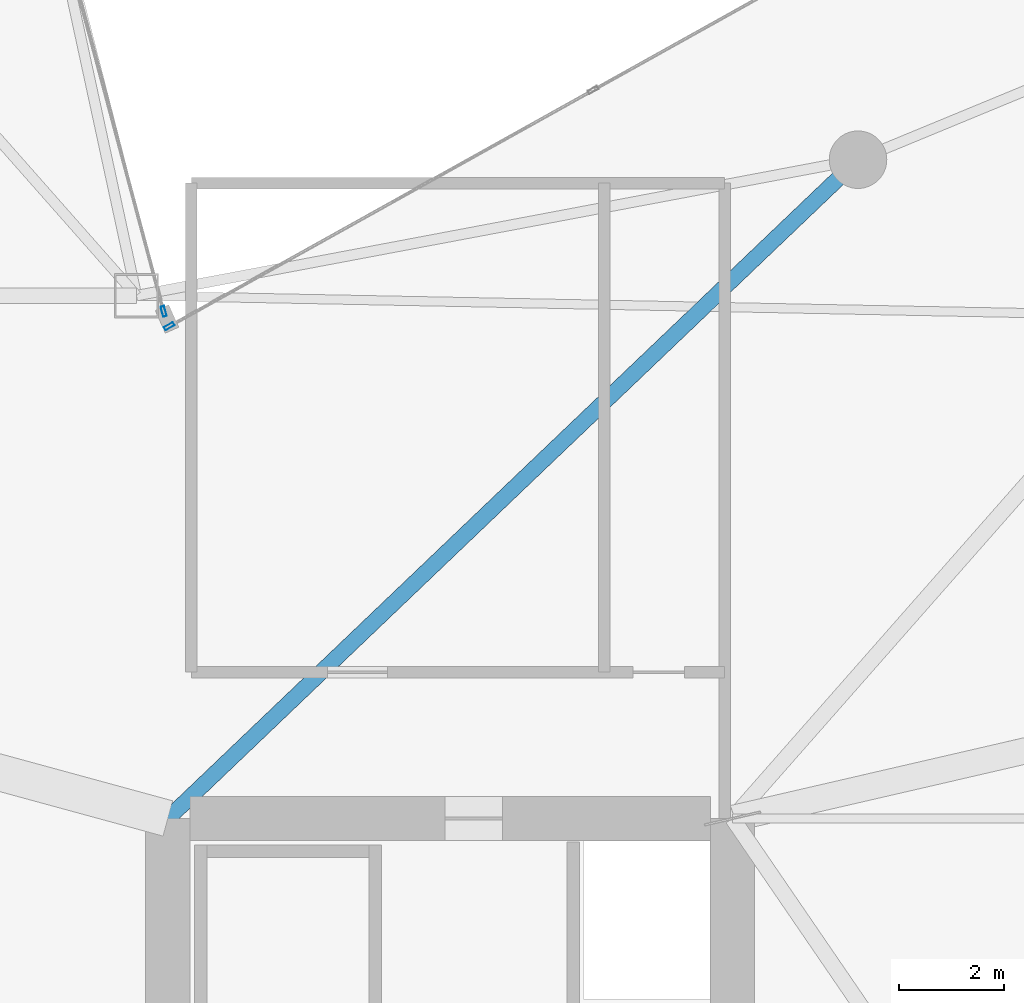
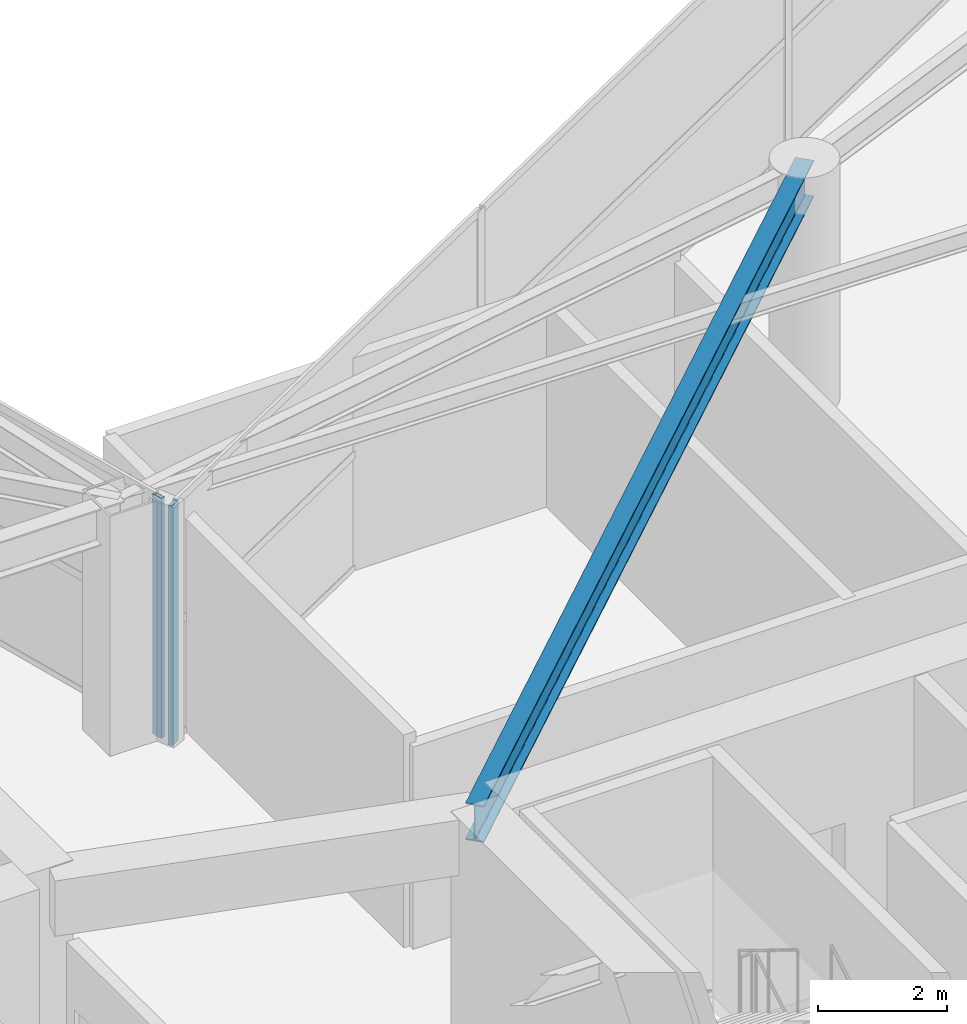
# One storey, part 2 of 19: 2 members, 1 beam, 2 elements without a shape of their own.
"""IFC4 building model written with IfcOpenShell, lengths in metres."""

from ifc_helpers import new_model, si_unit, direction, frame, origin, origin_2d, place, context, subcontext, project, spatial, hollow_rectangle, i_section, extrude, material, layer, layer_set, material_profile, profile_set, type_object, element, aggregate, save


model = new_model("IFC4")

# Units and contexts
model_context = context("Model", 3, precision=1e-05, world=origin(), true_north=direction((0.0, 1.0)))
body_context = subcontext(model_context, "Body", "Model", "MODEL_VIEW")
ifc_project = project(units=[si_unit("LENGTHUNIT", "METRE"), si_unit("AREAUNIT", "SQUARE_METRE"), si_unit("VOLUMEUNIT", "CUBIC_METRE"), si_unit("PLANEANGLEUNIT", "RADIAN"), si_unit("MASSUNIT", "GRAM", prefix="KILO")], contexts=[model_context])

# Site, building, storey
site_placement = place(None, origin())
site = spatial("IfcSite", under=ifc_project, at=site_placement, CompositionType="ELEMENT")
building_placement = place(site_placement, origin())
building = spatial("IfcBuilding", under=site, at=building_placement, Name="Calvorn Quay Hotel", CompositionType="ELEMENT")
storey_placement = place(building_placement, frame((0.0, 0.0, 139.199951171875)))
storey = spatial("IfcBuildingStorey", under=building, at=storey_placement, Name="L34", CompositionType="ELEMENT", Elevation=139.199951171875)

# Beam
ifc_material_1 = material(Name="Steel Q390GJC", Category="steel")
ifc_material_profile_1 = material_profile(ifc_material_1, i_section(OverallWidth=0.300048828125, OverallDepth=0.699951171875, WebThickness=0.012939453125, FlangeThickness=0.02392578125, FilletRadius=0.02392578125, at=origin_2d()), Name="HN700x300x13x24")
ifc_profile_set_1 = profile_set([ifc_material_profile_1], Name="Steel Q390GJC")
beam_type = type_object("IfcBeamType", Name="BM-GIRD-MAIN", PredefinedType="BEAM", material=ifc_profile_set_1)
beam_placement = place(storey_placement, frame((21.60009765625, 15.0, 4.18994140625), z_axis=(0.723351595578, 0.690479883252, 0.0), x_axis=(-0.690479883252, 0.723351595578, 0.0)))
element("IfcBeam", 1, at=beam_placement, inside=storey, type_object=beam_type, Name="Beam BG-L34-E4", PredefinedType="BEAM", context=body_context, shape_type="SweptSolid", body=[
    extrude(i_section(OverallWidth=0.300048828125, OverallDepth=0.699951171875, WebThickness=0.012939453125, FlangeThickness=0.02392578125, FilletRadius=0.02392578125, at=origin_2d()), origin(), (0.0, 0.0, 1.0), 18.248291015625),
])

# Curtain wall, member
ifc_material_2 = material(Name="Pale Anodised Aluminium and Low-E Glass", Category="aluminium")
ifc_layer = layer(ifc_material_2, 0.219970703125)
ifc_layer_set = layer_set([ifc_layer], Name="CW-SYS-Z2")
curtain_wall_type = type_object("IfcCurtainWallType", Name="CW-SYS-Z2", PredefinedType="NOTDEFINED", material=ifc_layer_set)
curtain_wall_1_placement = place(storey_placement, origin())
curtain_wall_1 = element("IfcCurtainWall", 2, at=curtain_wall_1_placement, inside=storey, type_object=curtain_wall_type, Name="Inner Court Curtain Wall L34-NE1", PredefinedType="NOTDEFINED")
ifc_material_3 = material(Name="Pale Anodised Aluminium 6063-T6", Category="aluminium")
ifc_material_profile_2 = material_profile(ifc_material_3, hollow_rectangle(XDim=0.070068359375, YDim=0.199951171875, WallThickness=0.00390625, at=origin_2d()), Name="ALU-M200x70x4")
ifc_profile_set_2 = profile_set([ifc_material_profile_2], Name="Pale Anodised Aluminium 6063-T6")
member_type = type_object("IfcMemberType", Name="CW-SYS-Z2-MUL", PredefinedType="MULLION", material=ifc_profile_set_2)
member_1_placement = place(storey_placement, frame((21.626220703125, 24.41455078125, 0.0), z_axis=(0.0, 0.0, 1.0), x_axis=(0.486858256224, -0.873480989116, 0.0)))
member_1 = element("IfcMember", 3, at=member_1_placement, type_object=member_type, Name="CW-L34-NE1 mullion 4", PredefinedType="MULLION", context=body_context, shape_type="SweptSolid", body=[
    extrude(hollow_rectangle(XDim=0.070068359375, YDim=0.199951171875, WallThickness=0.00390625, at=origin_2d()), origin(), (0.0, 0.0, 1.0), 4.56005859375),
])
aggregate(curtain_wall_1, [member_1])

curtain_wall_2_placement = place(storey_placement, origin())
curtain_wall_2 = element("IfcCurtainWall", 4, at=curtain_wall_2_placement, inside=storey, type_object=curtain_wall_type, Name="Inner Court Curtain Wall L34-IC1", PredefinedType="NOTDEFINED")
member_2_placement = place(storey_placement, frame((21.520263671875, 24.698974609375, 0.0), z_axis=(0.0, 0.0, 1.0), x_axis=(-0.96593652056, -0.25877913024, 0.0)))
member_2 = element("IfcMember", 5, at=member_2_placement, type_object=member_type, Name="CW-L34-IC1 mullion 1", PredefinedType="MULLION", context=body_context, shape_type="SweptSolid", body=[
    extrude(hollow_rectangle(XDim=0.070068359375, YDim=0.199951171875, WallThickness=0.00390625, at=origin_2d()), origin(), (0.0, 0.0, 1.0), 4.56005859375),
])
aggregate(curtain_wall_2, [member_2])

save(model, "model.ifc")
